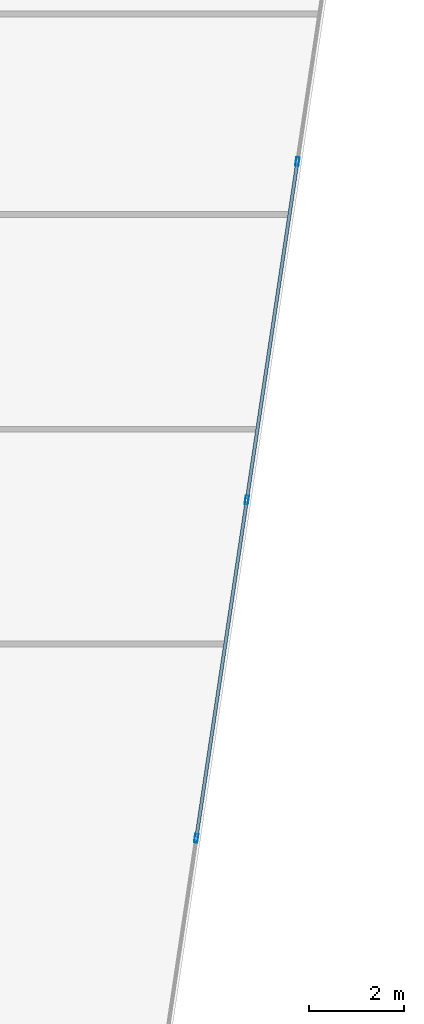
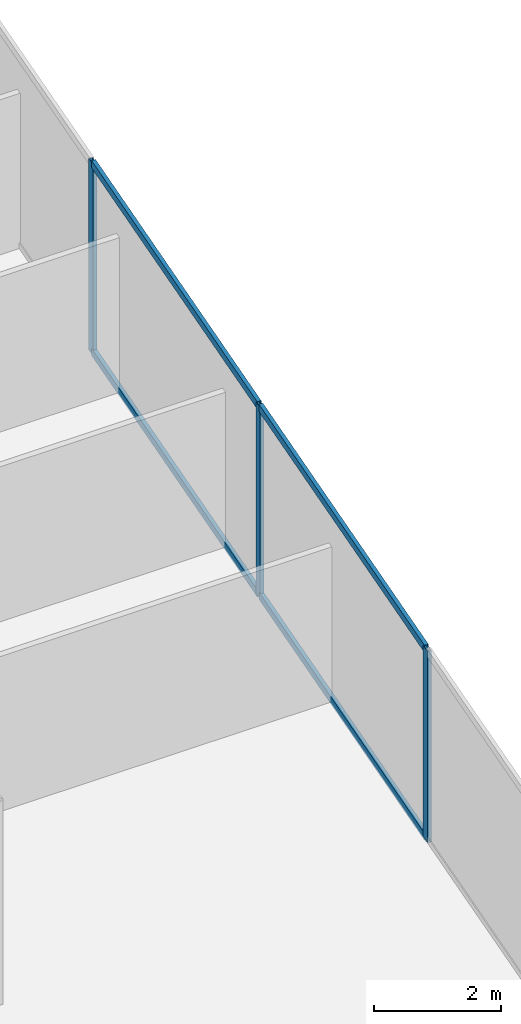
# One storey, part 14 of 29: 7 members, 1 element without a shape of its own.
"""IFC4 building model written with IfcOpenShell, lengths in metres."""

from ifc_helpers import new_model, si_unit, direction, frame, origin, origin_2d, place, context, subcontext, project, spatial, hollow_rectangle, extrude, source, transform, mapped, material, material_profile, profile_set, type_object, type_shapes, element, aggregate, save


model = new_model("IFC4")

# Units and contexts
model_context = context("Model", 3, precision=1e-05, world=origin(), true_north=direction((0.0, 1.0)))
body_context = subcontext(model_context, "Body", "Model", "MODEL_VIEW")
ifc_project = project(units=[si_unit("LENGTHUNIT", "METRE"), si_unit("AREAUNIT", "SQUARE_METRE"), si_unit("VOLUMEUNIT", "CUBIC_METRE"), si_unit("PLANEANGLEUNIT", "RADIAN"), si_unit("MASSUNIT", "GRAM", prefix="KILO")], contexts=[model_context])

# Site, building, storey
site_placement = place(None, origin())
site = spatial("IfcSite", under=ifc_project, at=site_placement, CompositionType="ELEMENT")
building_placement = place(site_placement, origin())
building = spatial("IfcBuilding", under=site, at=building_placement, Name="Krantzveldt Concourse Tower", CompositionType="ELEMENT")
storey_placement = place(building_placement, frame((0.0, 0.0, 68.449951171875)))
storey = spatial("IfcBuildingStorey", under=building, at=storey_placement, Name="L16", CompositionType="ELEMENT", Elevation=68.449951171875)

# Curtain wall, members
ifc_material = material(Name="Anodised aluminium 6063-T6", Category="aluminium")
curtain_wall_type = type_object("IfcCurtainWallType", Name="CW2", PredefinedType="USERDEFINED", material=ifc_material)
curtain_wall_placement = place(storey_placement, origin())
curtain_wall = element("IfcCurtainWall", 1, at=curtain_wall_placement, inside=storey, type_object=curtain_wall_type, Name="CW-L16-F07", ObjectType="UNITISED CURTAIN WALL", PredefinedType="USERDEFINED")
ifc_material_profile_1 = material_profile(ifc_material, hollow_rectangle(XDim=0.070068359375, YDim=0.179931640625, WallThickness=0.0048828125, at=origin_2d()), Name="Anodised aluminium 6063-T6", Category="aluminium")
ifc_profile_set_1 = profile_set([ifc_material_profile_1], Name="Anodised aluminium 6063-T6 - ALU-MULL 180x70x5")
member_type_1 = type_object("IfcMemberType", Name="CW-MUL-180", PredefinedType="MULLION", material=ifc_profile_set_1)
shared_shape_1 = source(origin(), body_context, "Body", "SweptSolid", [
    extrude(hollow_rectangle(XDim=0.070068359375, YDim=0.179931640625, WallThickness=0.0048828125, at=origin_2d()), origin(), (0.0, 0.0, 1.0), 3.670166015625),
])
type_shapes(member_type_1, [shared_shape_1])
member_1_placement = place(storey_placement, frame((59.5771484375, 15.93017578125, 0.0), z_axis=(0.0, 0.0, 1.0), x_axis=(-0.989015849271, 0.147809505412, 0.0)))
member_1 = element("IfcMember", 2, at=member_1_placement, type_object=member_type_1, Name="CW-Z12 mullion 3", PredefinedType="MULLION", context=body_context, shape_type="MappedRepresentation", body=[
    mapped(shared_shape_1, transform((0.0, 0.0, 0.0), x_axis=(1.0, 0.0, 0.0), y_axis=(0.0, 1.0, 0.0), z_axis=(0.0, 0.0, 1.0), scale=1.0)),
])
member_2_placement = place(storey_placement, frame((60.636474609375, 23.01806640625, 0.0), z_axis=(0.0, 0.0, 1.0), x_axis=(-0.989015849271, 0.147809505412, 0.0)))
member_2 = element("IfcMember", 3, at=member_2_placement, type_object=member_type_1, Name="CW-Z12 mullion 4", PredefinedType="MULLION", context=body_context, shape_type="MappedRepresentation", body=[
    mapped(shared_shape_1, transform((0.0, 0.0, 0.0), x_axis=(1.0, 0.0, 0.0), y_axis=(0.0, 1.0, 0.0), z_axis=(0.0, 0.0, 1.0), scale=1.0)),
])
member_3_placement = place(storey_placement, frame((61.69580078125, 30.10595703125, 0.0), z_axis=(0.0, 0.0, 1.0), x_axis=(-0.989015849271, 0.147809505412, 0.0)))
member_3 = element("IfcMember", 4, at=member_3_placement, type_object=member_type_1, Name="CW-Z12 mullion 5", PredefinedType="MULLION", context=body_context, shape_type="MappedRepresentation", body=[
    mapped(shared_shape_1, transform((0.0, 0.0, 0.0), x_axis=(1.0, 0.0, 0.0), y_axis=(0.0, 1.0, 0.0), z_axis=(0.0, 0.0, 1.0), scale=1.0)),
])
ifc_material_profile_2 = material_profile(ifc_material, hollow_rectangle(XDim=0.070068359375, YDim=0.139892578125, WallThickness=0.0048828125, at=origin_2d()), Name="Anodised aluminium 6063-T6", Category="aluminium")
ifc_profile_set_2 = profile_set([ifc_material_profile_2], Name="Anodised aluminium 6063-T6 - ALU-TRAN 140x70x5")
member_type_2 = type_object("IfcMemberType", Name="CW-TRN-150", PredefinedType="USERDEFINED", material=ifc_profile_set_2)
shared_shape_2 = source(origin(), body_context, "Body", "SweptSolid", [
    extrude(hollow_rectangle(XDim=0.070068359375, YDim=0.139892578125, WallThickness=0.0048828125, at=origin_2d()), origin(), (0.0, 0.0, 1.0), 7.096435546875),
])
type_shapes(member_type_2, [shared_shape_2])
member_4_placement = place(storey_placement, frame((59.582275390625, 15.96484375, 0.03515625), z_axis=(0.147795365468, 0.989017962398, 0.0), x_axis=(-0.989017962398, 0.147795365468, 0.0)))
member_4 = element("IfcMember", 5, at=member_4_placement, type_object=member_type_2, Name="CW-Z12 transom 3.1", ObjectType="TRANSOM", PredefinedType="USERDEFINED", context=body_context, shape_type="MappedRepresentation", body=[
    mapped(shared_shape_2, transform((0.0, 0.0, 0.0), x_axis=(1.0, 0.0, 0.0), y_axis=(0.0, 1.0, 0.0), z_axis=(0.0, 0.0, 1.0), scale=1.0)),
])
member_5_placement = place(storey_placement, frame((59.582275390625, 15.96484375, 3.635009765625), z_axis=(0.147795365468, 0.989017962398, 0.0), x_axis=(-0.989017962398, 0.147795365468, 0.0)))
member_5 = element("IfcMember", 6, at=member_5_placement, type_object=member_type_2, Name="CW-Z12 transom 3.2", ObjectType="TRANSOM", PredefinedType="USERDEFINED", context=body_context, shape_type="MappedRepresentation", body=[
    mapped(shared_shape_2, transform((0.0, 0.0, 0.0), x_axis=(1.0, 0.0, 0.0), y_axis=(0.0, 1.0, 0.0), z_axis=(0.0, 0.0, 1.0), scale=1.0)),
])
member_6_placement = place(storey_placement, frame((60.6416015625, 23.052734375, 0.03515625), z_axis=(0.147795365468, 0.989017962398, 0.0), x_axis=(-0.989017962398, 0.147795365468, 0.0)))
member_6 = element("IfcMember", 7, at=member_6_placement, type_object=member_type_2, Name="CW-Z12 transom 4.1", ObjectType="TRANSOM", PredefinedType="USERDEFINED", context=body_context, shape_type="MappedRepresentation", body=[
    mapped(shared_shape_2, transform((0.0, 0.0, 0.0), x_axis=(1.0, 0.0, 0.0), y_axis=(0.0, 1.0, 0.0), z_axis=(0.0, 0.0, 1.0), scale=1.0)),
])
member_7_placement = place(storey_placement, frame((60.6416015625, 23.052734375, 3.635009765625), z_axis=(0.147795365468, 0.989017962398, 0.0), x_axis=(-0.989017962398, 0.147795365468, 0.0)))
member_7 = element("IfcMember", 8, at=member_7_placement, type_object=member_type_2, Name="CW-Z12 transom 4.2", ObjectType="TRANSOM", PredefinedType="USERDEFINED", context=body_context, shape_type="MappedRepresentation", body=[
    mapped(shared_shape_2, transform((0.0, 0.0, 0.0), x_axis=(1.0, 0.0, 0.0), y_axis=(0.0, 1.0, 0.0), z_axis=(0.0, 0.0, 1.0), scale=1.0)),
])
aggregate(curtain_wall, [member_1, member_2, member_3, member_4, member_5, member_6, member_7])

save(model, "model.ifc")
